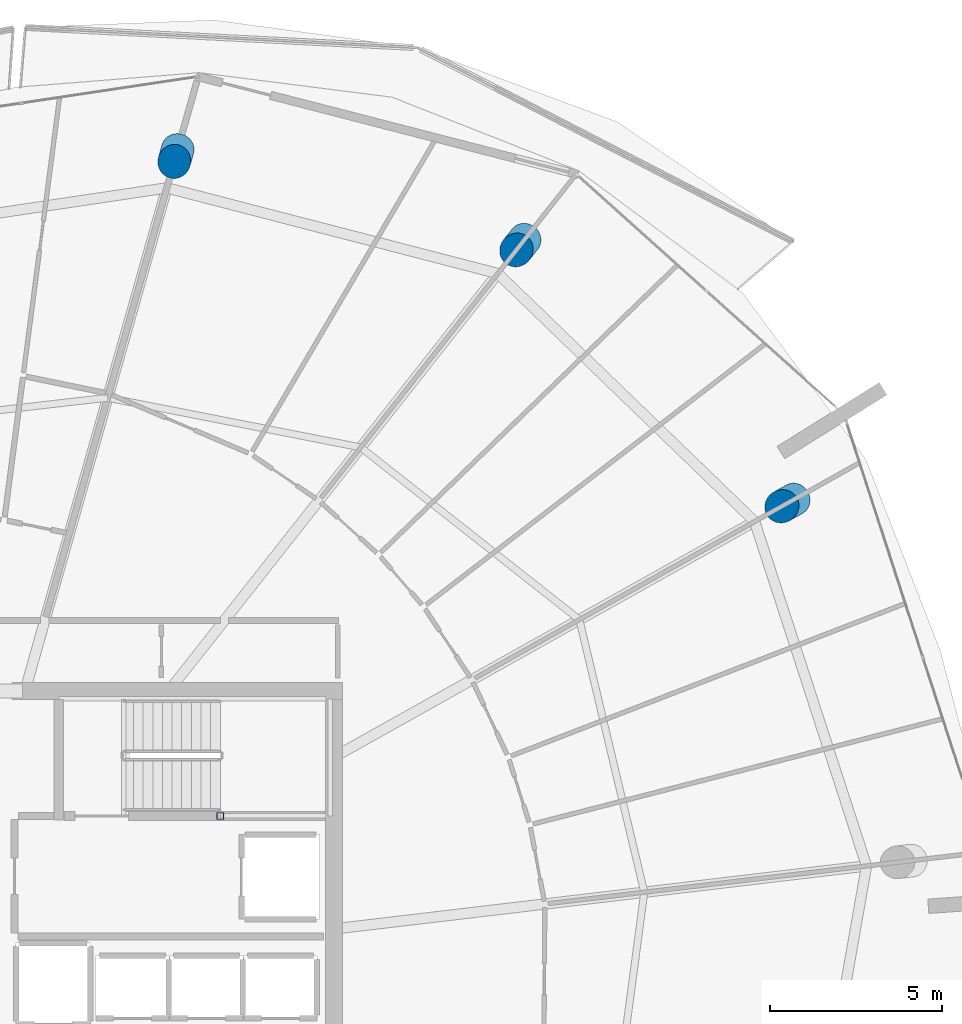
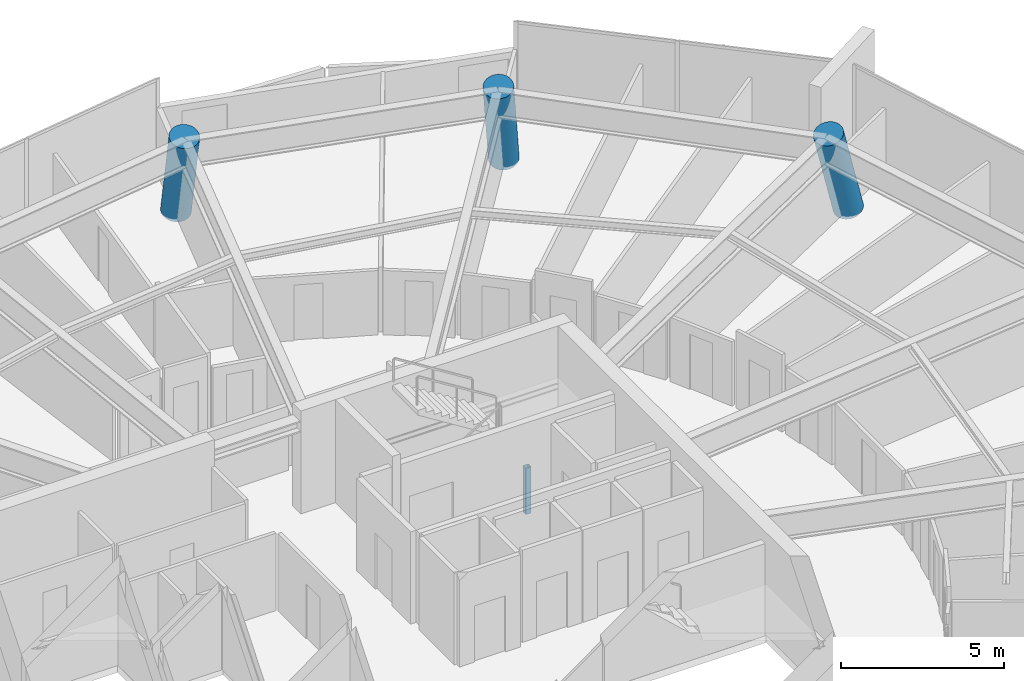
# One storey, part 5 of 30: 4 columns.
"""IFC4 building model written with IfcOpenShell, lengths in metres."""

from ifc_helpers import new_model, si_unit, direction, frame, origin, origin_2d, place, context, subcontext, project, spatial, hollow_rectangle, circle, extrude, material, material_profile, profile_set, type_object, element, save


model = new_model("IFC4")

# Units and contexts
model_context = context("Model", 3, precision=1e-05, world=origin(), true_north=direction((0.0, 1.0)))
body_context = subcontext(model_context, "Body", "Model", "MODEL_VIEW")
ifc_project = project(units=[si_unit("LENGTHUNIT", "METRE"), si_unit("AREAUNIT", "SQUARE_METRE"), si_unit("VOLUMEUNIT", "CUBIC_METRE"), si_unit("PLANEANGLEUNIT", "RADIAN"), si_unit("MASSUNIT", "GRAM", prefix="KILO")], contexts=[model_context])

# Site, building, storey
site_placement = place(None, origin())
site = spatial("IfcSite", under=ifc_project, at=site_placement, CompositionType="ELEMENT")
building_placement = place(site_placement, origin())
building = spatial("IfcBuilding", under=site, at=building_placement, Name="Kazma Halo Residences", CompositionType="ELEMENT")
storey_placement = place(building_placement, frame((0.0, 0.0, 302.14990234375)))
storey = spatial("IfcBuildingStorey", under=building, at=storey_placement, Name="L76", CompositionType="ELEMENT", Elevation=302.14990234375)

# Columns
ifc_material_1 = material(Name="Steel S355", Category="steel")
ifc_material_profile_1 = material_profile(ifc_material_1, hollow_rectangle(XDim=0.199951171875, YDim=0.199951171875, WallThickness=0.010009765625, InnerFilletRadius=0.010009765625, OuterFilletRadius=0.02001953125, at=origin_2d()), Name="SHS200x200x10")
ifc_profile_set_1 = profile_set([ifc_material_profile_1], Name="Steel S355")
column_type_1 = type_object("IfcColumnType", Name="COL-LP-SHS200", PredefinedType="COLUMN", material=ifc_profile_set_1)
column_1_placement = place(storey_placement, frame((56.0, 46.6201171875, 0.0), z_axis=(0.0, 0.0, 1.0), x_axis=(1.0, 0.0, 0.0)))
element("IfcColumn", 1, at=column_1_placement, inside=storey, type_object=column_type_1, Name="L76 ST-02 landing pilaster 1", PredefinedType="COLUMN", context=body_context, shape_type="SweptSolid", body=[
    extrude(hollow_rectangle(XDim=0.199951171875, YDim=0.199951171875, WallThickness=0.010009765625, InnerFilletRadius=0.010009765625, OuterFilletRadius=0.02001953125, at=origin_2d()), origin(), (0.0, 0.0, 1.0), 1.72021484375),
])
ifc_material_2 = material(Name="Concrete C60/75", Category="concrete")
ifc_material_profile_2 = material_profile(ifc_material_2, circle(Radius=0.47509765625, at=origin_2d()), Name="CIRC950")
ifc_profile_set_2 = profile_set([ifc_material_profile_2], Name="Concrete C60/75")
column_type_2 = type_object("IfcColumnType", Name="COL-PERIM-950", PredefinedType="COLUMN", material=ifc_profile_set_2)
column_2_placement = place(storey_placement, frame((72.67041015625, 55.81591796875, 0.0), z_axis=(-0.282704029818, -0.158322289965, 0.94605099441), x_axis=(0.488622242654, -0.872495446397, 0.0)))
element("IfcColumn", 2, at=column_2_placement, inside=storey, type_object=column_type_2, Name="L76 perimeter ring column P01", PredefinedType="COLUMN", context=body_context, shape_type="SweptSolid", body=[
    extrude(circle(Radius=0.47509765625, at=origin_2d()), origin(), (0.0, 0.0, 1.0), 3.64697265625),
])
column_3_placement = place(storey_placement, frame((64.84716796875, 63.37060546875, 0.0), z_axis=(-0.193753641648, -0.245837953919, 0.949749033567), x_axis=(0.78539361544, -0.618996663017, 0.0)))
element("IfcColumn", 3, at=column_3_placement, inside=storey, type_object=column_type_2, Name="L76 perimeter ring column P02", PredefinedType="COLUMN", context=body_context, shape_type="SweptSolid", body=[
    extrude(circle(Radius=0.47509765625, at=origin_2d()), origin(), (0.0, 0.0, 1.0), 3.6328125),
])
column_4_placement = place(storey_placement, frame((54.762939453125, 65.9794921875, 0.0), z_axis=(-0.078380826243, -0.278024987813, 0.957370645168), x_axis=(0.962482662074, -0.271343187139, 0.0)))
element("IfcColumn", 4, at=column_4_placement, inside=storey, type_object=column_type_2, Name="L76 perimeter ring column P03", PredefinedType="COLUMN", context=body_context, shape_type="SweptSolid", body=[
    extrude(circle(Radius=0.47509765625, at=origin_2d()), origin(), (0.0, 0.0, 1.0), 3.603759765625),
])

save(model, "model.ifc")
